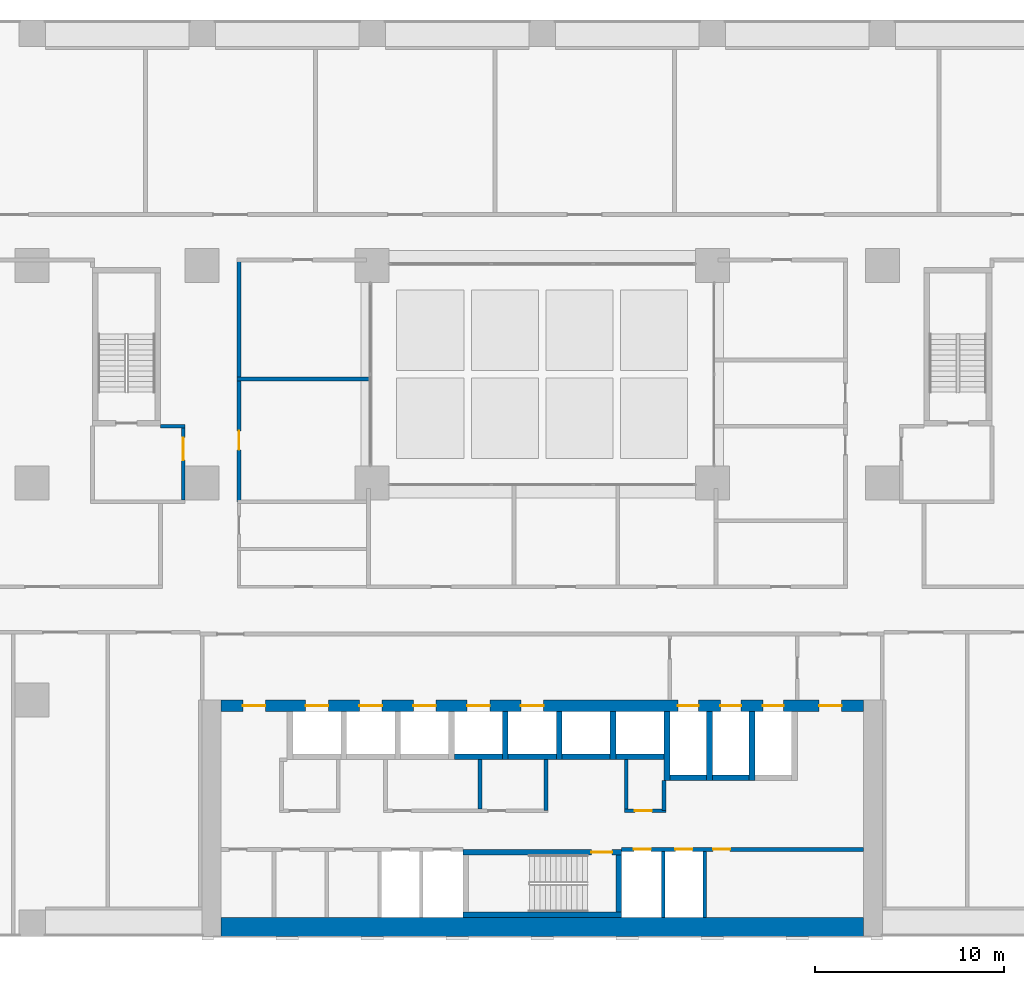
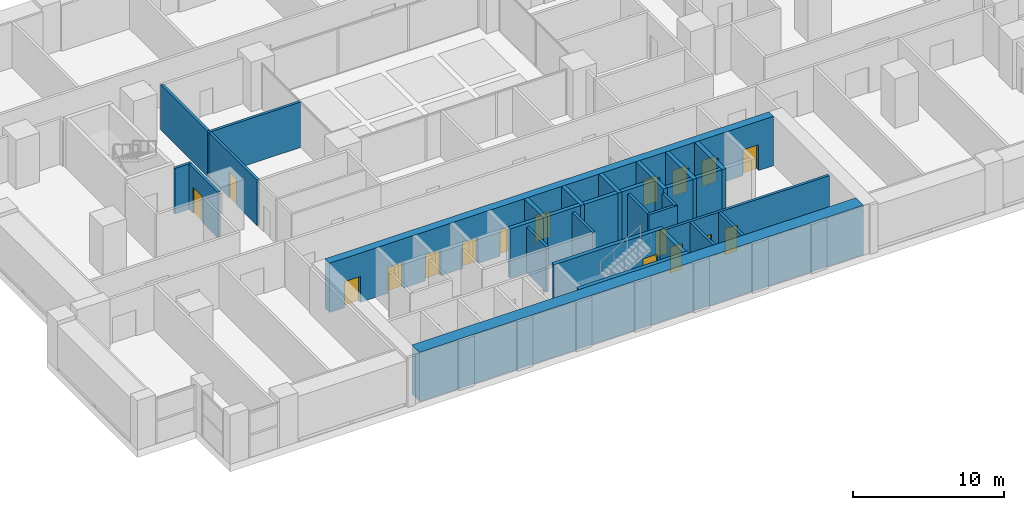
# One storey, part 21 of 24: 29 walls, 17 doors, 17 openings.
"""IFC4 building model written with IfcOpenShell, lengths in metres."""

import ifcopenshell
import ifcopenshell.guid

model = None  # the IFC model being written
_history = None  # IfcOwnerHistory: only IFC2X3 demands one
_inside = {}  # id of a spatial element -> (the spatial element, [elements in it])
_under = {}  # id of a project, library or spatial element -> (it, [spatial elements below it])
_declared = {}  # id of a project -> (the project, [libraries it declares])
_typed = {}  # id of a type object -> (the type object, [elements of that type])
_made_of = {}  # id of a material, layer set ... -> (it, [elements and type objects made of it])


def new_model(schema):
    """Start an empty IFC model of exactly this schema.

    Asked for "IFC4X3", IfcOpenShell would pick the latest addendum, in which some entities
    have other attributes; the version numbers below select the first issue.
    IFC2X3 requires an IfcOwnerHistory on every rooted entity: one is made here for all.
    """
    global model, _history
    if schema == "IFC4X3":
        model = ifcopenshell.file(schema_version=(4, 3, 0, 0))
    else:
        model = ifcopenshell.file(schema=schema)
    _inside.clear()
    _under.clear()
    _declared.clear()
    _typed.clear()
    _made_of.clear()
    _history = None
    if model.schema == "IFC2X3":
        org = make("IfcOrganization", Name="unknown")
        user = make(
            "IfcPersonAndOrganization",
            ThePerson=make("IfcPerson", FamilyName="unknown"),
            TheOrganization=org,
        )
        app = make(
            "IfcApplication",
            ApplicationDeveloper=org,
            Version="unknown",
            ApplicationFullName="unknown",
            ApplicationIdentifier="unknown",
        )
        _history = make(
            "IfcOwnerHistory",
            OwningUser=user,
            OwningApplication=app,
            ChangeAction="ADDED",
            CreationDate=0,
        )
    return model


def make(cls, **values):
    """One entity of the class cls with the attributes given. An attribute that is None is left unset."""
    return model.create_entity(
        cls, **{name: value for name, value in values.items() if value is not None}
    )


def rooted(cls, **values):
    """An entity with a GlobalId (a new one), such as an element, a storey or a relation."""
    return make(cls, GlobalId=ifcopenshell.guid.new(), OwnerHistory=_history, **values)


def si_unit(unit_type, name, prefix=None):
    """IfcSIUnit, for example si_unit("LENGTHUNIT", "METRE", prefix="MILLI")."""
    return make("IfcSIUnit", UnitType=unit_type, Prefix=prefix, Name=name)


def assignment(units):
    """IfcUnitAssignment: the units of a project."""
    return None if units is None else make("IfcUnitAssignment", Units=units)


def point(xyz):
    """IfcCartesianPoint."""
    return None if xyz is None else make("IfcCartesianPoint", Coordinates=xyz)


def direction(xyz):
    """IfcDirection."""
    return None if xyz is None else make("IfcDirection", DirectionRatios=xyz)


def frame(location, z_axis=None, x_axis=None):
    """IfcAxis2Placement3D, a coordinate frame: its origin and axes. An axis left out is left unset."""
    return make(
        "IfcAxis2Placement3D",
        Location=point(location),
        Axis=direction(z_axis),
        RefDirection=direction(x_axis),
    )


def frame_2d(location, x_axis=None):
    """IfcAxis2Placement2D, a coordinate frame in the plane: its origin and x axis."""
    return make(
        "IfcAxis2Placement2D", Location=point(location), RefDirection=direction(x_axis)
    )


def origin():
    """The frame at (0, 0, 0) with its axes left unset."""
    return frame((0.0, 0.0, 0.0))


def place(relative_to, where):
    """IfcLocalPlacement: puts the frame where relative to a parent placement (None: the world)."""
    return make(
        "IfcLocalPlacement", PlacementRelTo=relative_to, RelativePlacement=where
    )


def context(
    kind, dimensions, precision=None, world=None, true_north=None, identifier=None
):
    """IfcGeometricRepresentationContext, for example the 3D "Model" context."""
    return make(
        "IfcGeometricRepresentationContext",
        ContextIdentifier=identifier,
        ContextType=kind,
        CoordinateSpaceDimension=dimensions,
        Precision=precision,
        WorldCoordinateSystem=world,
        TrueNorth=true_north,
    )


def subcontext(parent, identifier, kind, view, scale=None):
    """IfcGeometricRepresentationSubContext, for example "Body" below "Model"."""
    return make(
        "IfcGeometricRepresentationSubContext",
        ContextIdentifier=identifier,
        ContextType=kind,
        ParentContext=parent,
        TargetScale=scale,
        TargetView=view,
    )


def project(units=None, contexts=None):
    """IfcProject with its units and contexts."""
    return rooted(
        "IfcProject",
        Name="project",
        RepresentationContexts=contexts,
        UnitsInContext=assignment(units),
    )


def spatial(cls, under=None, at=None, **own):
    """A site, building, storey or space (cls), placed at a placement, below another one or the project."""
    s = rooted(cls, ObjectPlacement=at, **own)
    if under is not None:
        _under.setdefault(under.id(), (under, []))[1].append(s)
    return s


def profile(cls, at=None, kind="AREA", **sizes):
    """A parametric profile (cls). Its sizes go by their IFC names, for example OverallWidth=200.0."""
    return make(cls, ProfileType=kind, Position=at, **sizes)


def rectangle(**sizes):
    """IfcRectangleProfileDef."""
    return profile("IfcRectangleProfileDef", **sizes)


def extrude(swept, where, along, depth):
    """IfcExtrudedAreaSolid: the profile swept, set in the frame where, extruded along a direction by depth."""
    return make(
        "IfcExtrudedAreaSolid",
        SweptArea=swept,
        Position=where,
        ExtrudedDirection=direction(along),
        Depth=depth,
    )


def shape(context_of_items, identifier, shape_type, items):
    """IfcShapeRepresentation: the items that make up one representation, for example the "Body"."""
    return make(
        "IfcShapeRepresentation",
        ContextOfItems=context_of_items,
        RepresentationIdentifier=identifier,
        RepresentationType=shape_type,
        Items=items,
    )


def material(Name=None, Category=None):
    """IfcMaterial."""
    return make("IfcMaterial", Name=Name, Category=Category)


def layer(
    of_material, thickness, ventilated=None, Name=None, Category=None, Priority=None
):
    """IfcMaterialLayer: one layer of a wall or slab, of a material (None: an air gap)."""
    return make(
        "IfcMaterialLayer",
        Material=of_material,
        LayerThickness=thickness,
        IsVentilated=ventilated,
        Name=Name,
        Category=Category,
        Priority=Priority,
    )


def layer_set(layers, Name=None):
    """IfcMaterialLayerSet."""
    return make("IfcMaterialLayerSet", MaterialLayers=layers, LayerSetName=Name)


def made_of(thing, what):
    """Note that an element or type object is made of a material, layer set ...; save() writes the relation."""
    if what is not None:
        _made_of.setdefault(what.id(), (what, []))[1].append(thing)
    return thing


def type_object(cls, material=None, **own):
    """A type object (cls), such as IfcWallType, which elements share."""
    return made_of(rooted(cls, **own), material)


def element(
    cls,
    number,
    at=None,
    inside=None,
    cuts=None,
    type_object=None,
    material=None,
    context=None,
    identifier="Body",
    shape_type=None,
    held_by="IfcProductDefinitionShape",
    body=None,
    shapes=None,
    **own,
):
    """One element of the class cls, such as IfcWall. Its Tag is "e" and its number.

    at: its placement. inside: the storey or other place that contains it. cuts: it is an
    opening in that element (IfcRelVoidsElement). A single representation is given by context,
    identifier, shape_type and body (its items); several are given by shapes. held_by: the class
    of the entity that holds the representations. save() writes the other relations.
    """
    e = rooted(cls, Tag="e%d" % number, ObjectPlacement=at, **own)
    if body is not None:
        shapes = [shape(context, identifier, shape_type, body)]
    if shapes is not None:
        e.Representation = make(held_by, Representations=shapes)
    if inside is not None:
        _inside.setdefault(inside.id(), (inside, []))[1].append(e)
    if cuts is not None:
        rooted(
            "IfcRelVoidsElement", RelatingBuildingElement=cuts, RelatedOpeningElement=e
        )
    if type_object is not None:
        _typed.setdefault(type_object.id(), (type_object, []))[1].append(e)
    return made_of(e, material)


def fill(opening, filler):
    """IfcRelFillsElement: the door or window that sits in an opening."""
    return rooted(
        "IfcRelFillsElement",
        RelatingOpeningElement=opening,
        RelatedBuildingElement=filler,
    )


def aggregate(whole, parts):
    """IfcRelAggregates: a whole, such as a stair, and the parts it consists of."""
    return rooted("IfcRelAggregates", RelatingObject=whole, RelatedObjects=parts)


def save(model, path):
    """Write the relations noted so far, then the file.

    IfcRelAggregates (storeys below a building ...), IfcRelContainedInSpatialStructure (elements
    in a storey), IfcRelDefinesByType, IfcRelAssociatesMaterial and IfcRelDeclares: one each for
    every whole, place, type object, material and project.
    """
    for whole, parts in _under.values():
        aggregate(whole, parts)
    for where, things in _inside.values():
        rooted(
            "IfcRelContainedInSpatialStructure",
            RelatedElements=things,
            RelatingStructure=where,
        )
    for kind, things in _typed.values():
        rooted("IfcRelDefinesByType", RelatedObjects=things, RelatingType=kind)
    for what, things in _made_of.values():
        rooted("IfcRelAssociatesMaterial", RelatedObjects=things, RelatingMaterial=what)
    for by, libraries in _declared.values():
        rooted("IfcRelDeclares", RelatingContext=by, RelatedDefinitions=libraries)
    model.write(path)


model = new_model("IFC4")

# Units and contexts
model_context = context("Model", 3, precision=1e-05, world=origin(), true_north=direction((0.0, 1.0)))
body_context = subcontext(model_context, "Body", "Model", "MODEL_VIEW")
ifc_project = project(units=[si_unit("LENGTHUNIT", "METRE"), si_unit("AREAUNIT", "SQUARE_METRE"), si_unit("VOLUMEUNIT", "CUBIC_METRE"), si_unit("PLANEANGLEUNIT", "RADIAN"), si_unit("MASSUNIT", "GRAM", prefix="KILO")], contexts=[model_context])

# Site, building, storey
site_placement = place(None, origin())
site = spatial("IfcSite", under=ifc_project, at=site_placement, CompositionType="ELEMENT")
building_placement = place(site_placement, origin())
building = spatial("IfcBuilding", under=site, at=building_placement, Name="Brigalow Station Residences", CompositionType="ELEMENT")
storey_placement = place(building_placement, frame((0.0, 0.0, 15.5)))
storey = spatial("IfcBuildingStorey", under=building, at=storey_placement, Name="L03", CompositionType="ELEMENT", Elevation=15.5)

# Walls
ifc_material_1 = material(Name="Concrete C80", Category="concrete")
ifc_layer_1 = layer(ifc_material_1, 1.0)
ifc_layer_set_1 = layer_set([ifc_layer_1], Name="CORE SHEAR WALL 1000 C80")
wall_type_1 = type_object("IfcWallType", Name="CORE SHEAR WALL 1000 C80", PredefinedType="SHEAR", material=ifc_layer_set_1)
wall_1_placement = place(storey_placement, frame((19.0, 0.5, 0.0), z_axis=(0.0, 0.0, 1.0), x_axis=(1.0, 0.0, 0.0)))
element("IfcWall", 1, at=wall_1_placement, inside=storey, type_object=wall_type_1, Name="CORE WALL OUT-S L03", PredefinedType="SHEAR", context=body_context, shape_type="SweptSolid", body=[
    extrude(rectangle(XDim=34.0, YDim=1.0, at=frame_2d((17.0, 0.0))), origin(), (0.0, 0.0, 1.0), 4.0),
])
ifc_material_2 = material(Name="Concrete C80", Category="concrete")
ifc_layer_2 = layer(ifc_material_2, 0.300048828125)
ifc_layer_set_2 = layer_set([ifc_layer_2], Name="CORE SHEAR WALL 300 C80")
wall_type_2 = type_object("IfcWallType", Name="CORE SHEAR WALL 300 C80", PredefinedType="SHEAR", material=ifc_layer_set_2)
wall_2_placement = place(storey_placement, frame((31.35009765625, 9.5, 0.0), z_axis=(0.0, 0.0, 1.0), x_axis=(1.0, 0.0, 0.0)))
element("IfcWall", 2, at=wall_2_placement, inside=storey, type_object=wall_type_2, Name="CORE WALL SH-P4-S L03", PredefinedType="SHEAR", context=body_context, shape_type="SweptSolid", body=[
    extrude(rectangle(XDim=2.5498046875, YDim=0.300048828125, at=frame_2d((1.27490234375, 0.0))), origin(), (0.0, 0.0, 1.0), 4.0),
])
wall_3_placement = place(storey_placement, frame((34.199951171875, 9.5, 0.0), z_axis=(0.0, 0.0, 1.0), x_axis=(1.0, 0.0, 0.0)))
element("IfcWall", 3, at=wall_3_placement, inside=storey, type_object=wall_type_2, Name="CORE WALL SH-P5-S L03", PredefinedType="SHEAR", context=body_context, shape_type="SweptSolid", body=[
    extrude(rectangle(XDim=2.550048828125, YDim=0.300048828125, at=frame_2d((1.27490234375, 0.0))), origin(), (0.0, 0.0, 1.0), 4.0),
])
wall_4_placement = place(storey_placement, frame((34.050048828125, 9.35009765625, 0.0), z_axis=(0.0, 0.0, 1.0), x_axis=(0.0, 1.0, 0.0)))
element("IfcWall", 4, at=wall_4_placement, inside=storey, type_object=wall_type_2, Name="CORE WALL SH-P5-W L03", PredefinedType="SHEAR", context=body_context, shape_type="SweptSolid", body=[
    extrude(rectangle(XDim=2.5498046875, YDim=0.300048828125, at=frame_2d((1.27490234375, 0.0))), origin(), (0.0, 0.0, 1.0), 4.0),
])
wall_5_placement = place(storey_placement, frame((37.050048828125, 9.5, 0.0), z_axis=(0.0, 0.0, 1.0), x_axis=(1.0, 0.0, 0.0)))
element("IfcWall", 5, at=wall_5_placement, inside=storey, type_object=wall_type_2, Name="CORE WALL SH-X1-S L03", PredefinedType="SHEAR", context=body_context, shape_type="SweptSolid", body=[
    extrude(rectangle(XDim=2.550048828125, YDim=0.300048828125, at=frame_2d((1.27490234375, 0.0))), origin(), (0.0, 0.0, 1.0), 4.0),
])
wall_6_placement = place(storey_placement, frame((36.89990234375, 9.35009765625, 0.0), z_axis=(0.0, 0.0, 1.0), x_axis=(0.0, 1.0, 0.0)))
element("IfcWall", 6, at=wall_6_placement, inside=storey, type_object=wall_type_2, Name="CORE WALL SH-X1-W L03", PredefinedType="SHEAR", context=body_context, shape_type="SweptSolid", body=[
    extrude(rectangle(XDim=2.5498046875, YDim=0.300048828125, at=frame_2d((1.27490234375, 0.0))), origin(), (0.0, 0.0, 1.0), 4.0),
])
wall_7_placement = place(storey_placement, frame((39.89990234375, 9.5, 0.0), z_axis=(0.0, 0.0, 1.0), x_axis=(1.0, 0.0, 0.0)))
element("IfcWall", 7, at=wall_7_placement, inside=storey, type_object=wall_type_2, Name="CORE WALL SH-X2-S L03", PredefinedType="SHEAR", context=body_context, shape_type="SweptSolid", body=[
    extrude(rectangle(XDim=2.550048828125, YDim=0.300048828125, at=frame_2d((1.27490234375, 0.0))), origin(), (0.0, 0.0, 1.0), 4.0),
])
wall_8_placement = place(storey_placement, frame((39.75, 9.35009765625, 0.0), z_axis=(0.0, 0.0, 1.0), x_axis=(0.0, 1.0, 0.0)))
element("IfcWall", 8, at=wall_8_placement, inside=storey, type_object=wall_type_2, Name="CORE WALL SH-X2-W L03", PredefinedType="SHEAR", context=body_context, shape_type="SweptSolid", body=[
    extrude(rectangle(XDim=2.5498046875, YDim=0.300048828125, at=frame_2d((1.27490234375, 0.0))), origin(), (0.0, 0.0, 1.0), 4.0),
])
wall_9_placement = place(storey_placement, frame((42.75, 8.39990234375, 0.0), z_axis=(0.0, 0.0, 1.0), x_axis=(1.0, 0.0, 0.0)))
element("IfcWall", 9, at=wall_9_placement, inside=storey, type_object=wall_type_2, Name="CORE WALL SH-FF1-S L03", PredefinedType="SHEAR", context=body_context, shape_type="SweptSolid", body=[
    extrude(rectangle(XDim=1.949951171875, YDim=0.300048828125, at=frame_2d((0.97509765625, 0.0))), origin(), (0.0, 0.0, 1.0), 4.0),
])
wall_10_placement = place(storey_placement, frame((42.60009765625, 8.25, 0.0), z_axis=(0.0, 0.0, 1.0), x_axis=(0.0, 1.0, 0.0)))
element("IfcWall", 10, at=wall_10_placement, inside=storey, type_object=wall_type_2, Name="CORE WALL SH-FF1-W L03", PredefinedType="SHEAR", context=body_context, shape_type="SweptSolid", body=[
    extrude(rectangle(XDim=3.64990234375, YDim=0.300048828125, at=frame_2d((1.824951171875, 0.0))), origin(), (0.0, 0.0, 1.0), 4.0),
])
wall_11_placement = place(storey_placement, frame((45.0, 8.39990234375, 0.0), z_axis=(0.0, 0.0, 1.0), x_axis=(1.0, 0.0, 0.0)))
element("IfcWall", 11, at=wall_11_placement, inside=storey, type_object=wall_type_2, Name="CORE WALL SH-FF2-S L03", PredefinedType="SHEAR", context=body_context, shape_type="SweptSolid", body=[
    extrude(rectangle(XDim=1.949951171875, YDim=0.300048828125, at=frame_2d((0.97509765625, 0.0))), origin(), (0.0, 0.0, 1.0), 4.0),
])
for number, where, z_axis, x_axis, name in (
    (12, (44.85009765625, 8.25, 0.0), (0.0, 0.0, 1.0), (0.0, 1.0, 0.0), "CORE WALL SH-FF2-W L03"),
    (13, (47.10009765625, 8.25, 0.0), (0.0, 0.0, 1.0), (0.0, 1.0, 0.0), "CORE WALL SH-SL1-W L03"),
):
    element("IfcWall", number, at=place(storey_placement, frame(where, z_axis=z_axis, x_axis=x_axis)), inside=storey, type_object=wall_type_2, Name=name, PredefinedType="SHEAR", context=body_context, shape_type="SweptSolid", body=[
        extrude(rectangle(XDim=3.64990234375, YDim=0.300048828125, at=frame_2d((1.824951171875, 0.0))), origin(), (0.0, 0.0, 1.0), 4.0),
    ])
wall_12_placement = place(storey_placement, frame((31.800048828125, 1.14990234375, 0.0), z_axis=(0.0, 0.0, 1.0), x_axis=(1.0, 0.0, 0.0)))
element("IfcWall", 14, at=wall_12_placement, inside=storey, type_object=wall_type_2, Name="CORE WALL ST-S2-S L03", PredefinedType="SHEAR", context=body_context, shape_type="SweptSolid", body=[
    extrude(rectangle(XDim=8.39990234375, YDim=0.300048828125, at=frame_2d((4.199951171875, 0.0))), origin(), (0.0, 0.0, 1.0), 4.0),
])

# Wall, opening, door
wall_13_placement = place(storey_placement, frame((31.800048828125, 4.449951171875, 0.0), z_axis=(0.0, 0.0, 1.0), x_axis=(1.0, 0.0, 0.0)))
wall_13 = element("IfcWall", 15, at=wall_13_placement, inside=storey, type_object=wall_type_2, Name="CORE WALL ST-S2-N L03", PredefinedType="SHEAR", context=body_context, shape_type="SweptSolid", body=[
    extrude(rectangle(XDim=8.39990234375, YDim=0.300048828125, at=frame_2d((4.199951171875, 0.0))), origin(), (0.0, 0.0, 1.0), 4.0),
])
opening_1_placement = place(wall_13_placement, frame((6.800048828125, 0.0, 0.0)))
opening_1 = element("IfcOpeningElement", 16, at=opening_1_placement, cuts=wall_13, Name="Opening D-5001", PredefinedType="OPENING", context=body_context, shape_type="SweptSolid", body=[
    extrude(rectangle(XDim=1.10009765625, YDim=2.10009765625, at=frame_2d((0.550048828125, 1.050048828125))), frame((0.0, 0.16015625, 0.0), z_axis=(0.0, -1.0, 0.0), x_axis=(1.0, 0.0, 0.0)), (0.0, 0.0, 1.0), 0.320068359375),
])
ifc_material_3 = material(Name="Steel fire door leaf in steel frame", Category="steel")
door_type_1 = type_object("IfcDoorType", Name="STAIR DOOR 1100 x 2100 FD60S", OperationType="SINGLE_SWING_LEFT", PredefinedType="DOOR", material=ifc_material_3)
door_1_placement = place(opening_1_placement, frame((1.10009765625, 0.0, 0.0), z_axis=(0.0, 0.0, 1.0), x_axis=(-1.0, 0.0, 0.0)))
door_1 = element("IfcDoor", 17, at=door_1_placement, inside=storey, type_object=door_type_1, Name="D-5001", OperationType="SINGLE_SWING_LEFT", OverallHeight=2.10009765625, OverallWidth=1.10009765625, PredefinedType="DOOR", context=body_context, shape_type="SweptSolid", body=[
    extrude(rectangle(XDim=1.10009765625, YDim=2.10009765625, at=frame_2d((0.550048828125, 1.050048828125))), frame((0.0, 0.02490234375, 0.0), z_axis=(0.0, -1.0, 0.0), x_axis=(1.0, 0.0, 0.0)), (0.0, 0.0, 1.0), 0.050048828125),
])
fill(opening_1, door_1)

# Wall
wall_14_placement = place(storey_placement, frame((40.050048828125, 1.300048828125, 0.0), z_axis=(0.0, 0.0, 1.0), x_axis=(0.0, 1.0, 0.0)))
element("IfcWall", 18, at=wall_14_placement, inside=storey, type_object=wall_type_2, Name="CORE WALL ST-S2-E L03", PredefinedType="SHEAR", context=body_context, shape_type="SweptSolid", body=[
    extrude(rectangle(XDim=3.0, YDim=0.300048828125, at=frame_2d((1.5, 0.0))), origin(), (0.0, 0.0, 1.0), 4.0),
])

# Wall, openings, doors
ifc_material_4 = material(Name="Concrete C80", Category="concrete")
ifc_layer_3 = layer(ifc_material_4, 0.60009765625)
ifc_layer_set_3 = layer_set([ifc_layer_3], Name="CORE SHEAR WALL 600 C80")
wall_type_3 = type_object("IfcWallType", Name="CORE SHEAR WALL 600 C80", PredefinedType="SHEAR", material=ifc_layer_set_3)
wall_15_placement = place(storey_placement, frame((19.0, 12.199951171875, 0.0), z_axis=(0.0, 0.0, 1.0), x_axis=(1.0, 0.0, 0.0)))
wall_15 = element("IfcWall", 19, at=wall_15_placement, inside=storey, type_object=wall_type_3, Name="CORE WALL OUT-N L03", PredefinedType="SHEAR", context=body_context, shape_type="SweptSolid", body=[
    extrude(rectangle(XDim=34.0, YDim=0.60009765625, at=frame_2d((17.0, 0.0))), origin(), (0.0, 0.0, 1.0), 4.0),
])
opening_2_placement = place(wall_15_placement, frame((4.47509765625, 0.0, 0.0)))
opening_2 = element("IfcOpeningElement", 20, at=opening_2_placement, cuts=wall_15, Name="Opening LD-LA1", PredefinedType="OPENING", context=body_context, shape_type="SweptSolid", body=[
    extrude(rectangle(XDim=1.199951171875, YDim=2.10009765625, at=frame_2d((0.60009765625, 1.050048828125))), frame((0.0, 0.31005859375, 0.0), z_axis=(0.0, -1.0, 0.0), x_axis=(1.0, 0.0, 0.0)), (0.0, 0.0, 1.0), 0.6201171875),
])
opening_3_placement = place(wall_15_placement, frame((7.324951171875, 0.0, 0.0)))
opening_3 = element("IfcOpeningElement", 21, at=opening_3_placement, cuts=wall_15, Name="Opening LD-LA2", PredefinedType="OPENING", context=body_context, shape_type="SweptSolid", body=[
    extrude(rectangle(XDim=1.199951171875, YDim=2.10009765625, at=frame_2d((0.60009765625, 1.050048828125))), frame((0.0, 0.31005859375, 0.0), z_axis=(0.0, -1.0, 0.0), x_axis=(1.0, 0.0, 0.0)), (0.0, 0.0, 1.0), 0.6201171875),
])
opening_4_placement = place(wall_15_placement, frame((10.175048828125, 0.0, 0.0)))
opening_4 = element("IfcOpeningElement", 22, at=opening_4_placement, cuts=wall_15, Name="Opening LD-LA3", PredefinedType="OPENING", context=body_context, shape_type="SweptSolid", body=[
    extrude(rectangle(XDim=1.199951171875, YDim=2.10009765625, at=frame_2d((0.60009765625, 1.050048828125))), frame((0.0, 0.31005859375, 0.0), z_axis=(0.0, -1.0, 0.0), x_axis=(1.0, 0.0, 0.0)), (0.0, 0.0, 1.0), 0.6201171875),
])
opening_5_placement = place(wall_15_placement, frame((13.02490234375, 0.0, 0.0)))
opening_5 = element("IfcOpeningElement", 23, at=opening_5_placement, cuts=wall_15, Name="Opening LD-LA4", PredefinedType="OPENING", context=body_context, shape_type="SweptSolid", body=[
    extrude(rectangle(XDim=1.199951171875, YDim=2.10009765625, at=frame_2d((0.60009765625, 1.050048828125))), frame((0.0, 0.31005859375, 0.0), z_axis=(0.0, -1.0, 0.0), x_axis=(1.0, 0.0, 0.0)), (0.0, 0.0, 1.0), 0.6201171875),
])
opening_6_placement = place(wall_15_placement, frame((15.875, 0.0, 0.0)))
opening_6 = element("IfcOpeningElement", 24, at=opening_6_placement, cuts=wall_15, Name="Opening LD-LA5", PredefinedType="OPENING", context=body_context, shape_type="SweptSolid", body=[
    extrude(rectangle(XDim=1.199951171875, YDim=2.10009765625, at=frame_2d((0.60009765625, 1.050048828125))), frame((0.0, 0.31005859375, 0.0), z_axis=(0.0, -1.0, 0.0), x_axis=(1.0, 0.0, 0.0)), (0.0, 0.0, 1.0), 0.6201171875),
])
opening_7_placement = place(wall_15_placement, frame((24.175048828125, 0.0, 0.0)))
opening_7 = element("IfcOpeningElement", 25, at=opening_7_placement, cuts=wall_15, Name="Opening LD-LF1", PredefinedType="OPENING", context=body_context, shape_type="SweptSolid", body=[
    extrude(rectangle(XDim=1.10009765625, YDim=2.10009765625, at=frame_2d((0.550048828125, 1.050048828125))), frame((0.0, 0.31005859375, 0.0), z_axis=(0.0, -1.0, 0.0), x_axis=(1.0, 0.0, 0.0)), (0.0, 0.0, 1.0), 0.6201171875),
])
opening_8_placement = place(wall_15_placement, frame((26.425048828125, 0.0, 0.0)))
opening_8 = element("IfcOpeningElement", 26, at=opening_8_placement, cuts=wall_15, Name="Opening LD-LF2", PredefinedType="OPENING", context=body_context, shape_type="SweptSolid", body=[
    extrude(rectangle(XDim=1.10009765625, YDim=2.10009765625, at=frame_2d((0.550048828125, 1.050048828125))), frame((0.0, 0.31005859375, 0.0), z_axis=(0.0, -1.0, 0.0), x_axis=(1.0, 0.0, 0.0)), (0.0, 0.0, 1.0), 0.6201171875),
])
opening_9_placement = place(wall_15_placement, frame((28.675048828125, 0.0, 0.0)))
opening_9 = element("IfcOpeningElement", 27, at=opening_9_placement, cuts=wall_15, Name="Opening LD-LG1", PredefinedType="OPENING", context=body_context, shape_type="SweptSolid", body=[
    extrude(rectangle(XDim=1.10009765625, YDim=2.10009765625, at=frame_2d((0.550048828125, 1.050048828125))), frame((0.0, 0.31005859375, 0.0), z_axis=(0.0, -1.0, 0.0), x_axis=(1.0, 0.0, 0.0)), (0.0, 0.0, 1.0), 0.6201171875),
])
opening_10_placement = place(wall_15_placement, frame((1.14990234375, 0.0, 0.0)))
opening_10 = element("IfcOpeningElement", 28, at=opening_10_placement, cuts=wall_15, Name="Opening D-5011", PredefinedType="OPENING", context=body_context, shape_type="SweptSolid", body=[
    extrude(rectangle(XDim=1.199951171875, YDim=2.10009765625, at=frame_2d((0.60009765625, 1.050048828125))), frame((0.0, 0.31005859375, 0.0), z_axis=(0.0, -1.0, 0.0), x_axis=(1.0, 0.0, 0.0)), (0.0, 0.0, 1.0), 0.6201171875),
])
opening_11_placement = place(wall_15_placement, frame((31.64990234375, 0.0, 0.0)))
opening_11 = element("IfcOpeningElement", 29, at=opening_11_placement, cuts=wall_15, Name="Opening D-5012", PredefinedType="OPENING", context=body_context, shape_type="SweptSolid", body=[
    extrude(rectangle(XDim=1.199951171875, YDim=2.10009765625, at=frame_2d((0.60009765625, 1.050048828125))), frame((0.0, 0.31005859375, 0.0), z_axis=(0.0, -1.0, 0.0), x_axis=(1.0, 0.0, 0.0)), (0.0, 0.0, 1.0), 0.6201171875),
])
ifc_material_5 = material(Name="Steel fire door leaf in steel frame", Category="steel")
door_type_2 = type_object("IfcDoorType", Name="CORE CORRIDOR DOOR 1200 x 2100 FD60S", OperationType="SINGLE_SWING_LEFT", PredefinedType="DOOR", material=ifc_material_5)
door_2_placement = place(opening_10_placement, frame((1.199951171875, 0.0, 0.0), z_axis=(0.0, 0.0, 1.0), x_axis=(-1.0, 0.0, 0.0)))
door_2 = element("IfcDoor", 30, at=door_2_placement, inside=storey, type_object=door_type_2, Name="D-5011", OperationType="SINGLE_SWING_LEFT", OverallHeight=2.10009765625, OverallWidth=1.199951171875, PredefinedType="DOOR", context=body_context, shape_type="SweptSolid", body=[
    extrude(rectangle(XDim=1.199951171875, YDim=2.10009765625, at=frame_2d((0.60009765625, 1.050048828125))), frame((0.0, 0.02490234375, 0.0), z_axis=(0.0, -1.0, 0.0), x_axis=(1.0, 0.0, 0.0)), (0.0, 0.0, 1.0), 0.050048828125),
])
fill(opening_10, door_2)
door_3_placement = place(opening_11_placement, frame((1.199951171875, 0.0, 0.0), z_axis=(0.0, 0.0, 1.0), x_axis=(-1.0, 0.0, 0.0)))
door_3 = element("IfcDoor", 31, at=door_3_placement, inside=storey, type_object=door_type_2, Name="D-5012", OperationType="SINGLE_SWING_LEFT", OverallHeight=2.10009765625, OverallWidth=1.199951171875, PredefinedType="DOOR", context=body_context, shape_type="SweptSolid", body=[
    extrude(rectangle(XDim=1.199951171875, YDim=2.10009765625, at=frame_2d((0.60009765625, 1.050048828125))), frame((0.0, 0.02490234375, 0.0), z_axis=(0.0, -1.0, 0.0), x_axis=(1.0, 0.0, 0.0)), (0.0, 0.0, 1.0), 0.050048828125),
])
fill(opening_11, door_3)
ifc_material_6 = material(Name="Stainless steel sliding door leaves", Category="steel")
door_type_3 = type_object("IfcDoorType", Name="LIFT LANDING DOOR 1100 x 2100", OperationType="DOUBLE_DOOR_SLIDING", PredefinedType="DOOR", material=ifc_material_6)
door_4_placement = place(opening_7_placement, origin())
door_4 = element("IfcDoor", 32, at=door_4_placement, inside=storey, type_object=door_type_3, Name="LANDING DOOR LF1", OperationType="DOUBLE_DOOR_SLIDING", OverallHeight=2.10009765625, OverallWidth=1.10009765625, PredefinedType="DOOR", context=body_context, shape_type="SweptSolid", body=[
    extrude(rectangle(XDim=1.10009765625, YDim=2.10009765625, at=frame_2d((0.550048828125, 1.050048828125))), frame((0.0, 0.02490234375, 0.0), z_axis=(0.0, -1.0, 0.0), x_axis=(1.0, 0.0, 0.0)), (0.0, 0.0, 1.0), 0.050048828125),
])
fill(opening_7, door_4)
door_5_placement = place(opening_8_placement, origin())
door_5 = element("IfcDoor", 33, at=door_5_placement, inside=storey, type_object=door_type_3, Name="LANDING DOOR LF2", OperationType="DOUBLE_DOOR_SLIDING", OverallHeight=2.10009765625, OverallWidth=1.10009765625, PredefinedType="DOOR", context=body_context, shape_type="SweptSolid", body=[
    extrude(rectangle(XDim=1.10009765625, YDim=2.10009765625, at=frame_2d((0.550048828125, 1.050048828125))), frame((0.0, 0.02490234375, 0.0), z_axis=(0.0, -1.0, 0.0), x_axis=(1.0, 0.0, 0.0)), (0.0, 0.0, 1.0), 0.050048828125),
])
fill(opening_8, door_5)
door_6_placement = place(opening_9_placement, origin())
door_6 = element("IfcDoor", 34, at=door_6_placement, inside=storey, type_object=door_type_3, Name="LANDING DOOR LG1", OperationType="DOUBLE_DOOR_SLIDING", OverallHeight=2.10009765625, OverallWidth=1.10009765625, PredefinedType="DOOR", context=body_context, shape_type="SweptSolid", body=[
    extrude(rectangle(XDim=1.10009765625, YDim=2.10009765625, at=frame_2d((0.550048828125, 1.050048828125))), frame((0.0, 0.02490234375, 0.0), z_axis=(0.0, -1.0, 0.0), x_axis=(1.0, 0.0, 0.0)), (0.0, 0.0, 1.0), 0.050048828125),
])
fill(opening_9, door_6)
ifc_material_7 = material(Name="Stainless steel sliding door leaves", Category="steel")
door_type_4 = type_object("IfcDoorType", Name="LIFT LANDING DOOR 1200 x 2100", OperationType="DOUBLE_DOOR_SLIDING", PredefinedType="DOOR", material=ifc_material_7)
door_7_placement = place(opening_2_placement, origin())
door_7 = element("IfcDoor", 35, at=door_7_placement, inside=storey, type_object=door_type_4, Name="LANDING DOOR LA1", OperationType="DOUBLE_DOOR_SLIDING", OverallHeight=2.10009765625, OverallWidth=1.199951171875, PredefinedType="DOOR", context=body_context, shape_type="SweptSolid", body=[
    extrude(rectangle(XDim=1.199951171875, YDim=2.10009765625, at=frame_2d((0.60009765625, 1.050048828125))), frame((0.0, 0.02490234375, 0.0), z_axis=(0.0, -1.0, 0.0), x_axis=(1.0, 0.0, 0.0)), (0.0, 0.0, 1.0), 0.050048828125),
])
fill(opening_2, door_7)
door_8_placement = place(opening_3_placement, origin())
door_8 = element("IfcDoor", 36, at=door_8_placement, inside=storey, type_object=door_type_4, Name="LANDING DOOR LA2", OperationType="DOUBLE_DOOR_SLIDING", OverallHeight=2.10009765625, OverallWidth=1.199951171875, PredefinedType="DOOR", context=body_context, shape_type="SweptSolid", body=[
    extrude(rectangle(XDim=1.199951171875, YDim=2.10009765625, at=frame_2d((0.60009765625, 1.050048828125))), frame((0.0, 0.02490234375, 0.0), z_axis=(0.0, -1.0, 0.0), x_axis=(1.0, 0.0, 0.0)), (0.0, 0.0, 1.0), 0.050048828125),
])
fill(opening_3, door_8)
door_9_placement = place(opening_4_placement, origin())
door_9 = element("IfcDoor", 37, at=door_9_placement, inside=storey, type_object=door_type_4, Name="LANDING DOOR LA3", OperationType="DOUBLE_DOOR_SLIDING", OverallHeight=2.10009765625, OverallWidth=1.199951171875, PredefinedType="DOOR", context=body_context, shape_type="SweptSolid", body=[
    extrude(rectangle(XDim=1.199951171875, YDim=2.10009765625, at=frame_2d((0.60009765625, 1.050048828125))), frame((0.0, 0.02490234375, 0.0), z_axis=(0.0, -1.0, 0.0), x_axis=(1.0, 0.0, 0.0)), (0.0, 0.0, 1.0), 0.050048828125),
])
fill(opening_4, door_9)
door_10_placement = place(opening_5_placement, origin())
door_10 = element("IfcDoor", 38, at=door_10_placement, inside=storey, type_object=door_type_4, Name="LANDING DOOR LA4", OperationType="DOUBLE_DOOR_SLIDING", OverallHeight=2.10009765625, OverallWidth=1.199951171875, PredefinedType="DOOR", context=body_context, shape_type="SweptSolid", body=[
    extrude(rectangle(XDim=1.199951171875, YDim=2.10009765625, at=frame_2d((0.60009765625, 1.050048828125))), frame((0.0, 0.02490234375, 0.0), z_axis=(0.0, -1.0, 0.0), x_axis=(1.0, 0.0, 0.0)), (0.0, 0.0, 1.0), 0.050048828125),
])
fill(opening_5, door_10)
door_11_placement = place(opening_6_placement, origin())
door_11 = element("IfcDoor", 39, at=door_11_placement, inside=storey, type_object=door_type_4, Name="LANDING DOOR LA5", OperationType="DOUBLE_DOOR_SLIDING", OverallHeight=2.10009765625, OverallWidth=1.199951171875, PredefinedType="DOOR", context=body_context, shape_type="SweptSolid", body=[
    extrude(rectangle(XDim=1.199951171875, YDim=2.10009765625, at=frame_2d((0.60009765625, 1.050048828125))), frame((0.0, 0.02490234375, 0.0), z_axis=(0.0, -1.0, 0.0), x_axis=(1.0, 0.0, 0.0)), (0.0, 0.0, 1.0), 0.050048828125),
])
fill(opening_6, door_11)

ifc_material_8 = material(Name="Concrete blockwork", Category="masonry")
ifc_layer_4 = layer(ifc_material_8, 0.199951171875)
ifc_layer_set_4 = layer_set([ifc_layer_4], Name="FIRE RATED CORE PARTITION 200")
wall_type_4 = type_object("IfcWallType", Name="FIRE RATED CORE PARTITION 200", PredefinedType="PARTITIONING", material=ifc_layer_set_4)
wall_16_placement = place(storey_placement, frame((40.199951171875, 4.60009765625, 0.0), z_axis=(0.0, 0.0, 1.0), x_axis=(1.0, 0.0, 0.0)))
wall_16 = element("IfcWall", 40, at=wall_16_placement, inside=storey, type_object=wall_type_4, Name="PW-5002", PredefinedType="PARTITIONING", context=body_context, shape_type="SweptSolid", body=[
    extrude(rectangle(XDim=12.800048828125, YDim=0.199951171875, at=frame_2d((6.39990234375, 0.0))), origin(), (0.0, 0.0, 1.0), 3.679931640625),
])
opening_12_placement = place(wall_16_placement, frame((4.85009765625, 0.0, 0.0)))
opening_12 = element("IfcOpeningElement", 41, at=opening_12_placement, cuts=wall_16, Name="Opening D-5005", PredefinedType="OPENING", context=body_context, shape_type="SweptSolid", body=[
    extrude(rectangle(XDim=0.89990234375, YDim=2.10009765625, at=frame_2d((0.449951171875, 1.050048828125))), frame((0.0, 0.10986328125, 0.0), z_axis=(0.0, -1.0, 0.0), x_axis=(1.0, 0.0, 0.0)), (0.0, 0.0, 1.0), 0.219970703125),
])
opening_13_placement = place(wall_16_placement, frame((0.64990234375, 0.0, 0.0)))
opening_13 = element("IfcOpeningElement", 42, at=opening_13_placement, cuts=wall_16, Name="Opening D-5009", PredefinedType="OPENING", context=body_context, shape_type="SweptSolid", body=[
    extrude(rectangle(XDim=0.89990234375, YDim=2.10009765625, at=frame_2d((0.449951171875, 1.050048828125))), frame((0.0, 0.10986328125, 0.0), z_axis=(0.0, -1.0, 0.0), x_axis=(1.0, 0.0, 0.0)), (0.0, 0.0, 1.0), 0.219970703125),
])
opening_14_placement = place(wall_16_placement, frame((2.85009765625, 0.0, 0.0)))
opening_14 = element("IfcOpeningElement", 43, at=opening_14_placement, cuts=wall_16, Name="Opening D-5010", PredefinedType="OPENING", context=body_context, shape_type="SweptSolid", body=[
    extrude(rectangle(XDim=0.89990234375, YDim=2.10009765625, at=frame_2d((0.449951171875, 1.050048828125))), frame((0.0, 0.10986328125, 0.0), z_axis=(0.0, -1.0, 0.0), x_axis=(1.0, 0.0, 0.0)), (0.0, 0.0, 1.0), 0.219970703125),
])
ifc_material_9 = material(Name="Steel fire door leaf in steel frame", Category="steel")
door_type_5 = type_object("IfcDoorType", Name="PLANT ROOM DOOR 900 x 2100 FD60", OperationType="SINGLE_SWING_LEFT", PredefinedType="DOOR", material=ifc_material_9)
door_12_placement = place(opening_12_placement, frame((0.89990234375, 0.0, 0.0), z_axis=(0.0, 0.0, 1.0), x_axis=(-1.0, 0.0, 0.0)))
door_12 = element("IfcDoor", 44, at=door_12_placement, inside=storey, type_object=door_type_5, Name="D-5005", OperationType="SINGLE_SWING_RIGHT", OverallHeight=2.10009765625, OverallWidth=0.89990234375, PredefinedType="DOOR", context=body_context, shape_type="SweptSolid", body=[
    extrude(rectangle(XDim=0.89990234375, YDim=2.10009765625, at=frame_2d((0.449951171875, 1.050048828125))), frame((0.0, 0.02490234375, 0.0), z_axis=(0.0, -1.0, 0.0), x_axis=(1.0, 0.0, 0.0)), (0.0, 0.0, 1.0), 0.050048828125),
])
fill(opening_12, door_12)
ifc_material_10 = material(Name="Steel fire door leaf in steel frame", Category="steel")
door_type_6 = type_object("IfcDoorType", Name="RISER ACCESS DOOR 900 x 2100 FD120", OperationType="SINGLE_SWING_LEFT", PredefinedType="DOOR", material=ifc_material_10)
door_13_placement = place(opening_13_placement, frame((0.89990234375, 0.0, 0.0), z_axis=(0.0, 0.0, 1.0), x_axis=(-1.0, 0.0, 0.0)))
door_13 = element("IfcDoor", 45, at=door_13_placement, inside=storey, type_object=door_type_6, Name="D-5009", OperationType="SINGLE_SWING_LEFT", OverallHeight=2.10009765625, OverallWidth=0.89990234375, PredefinedType="DOOR", context=body_context, shape_type="SweptSolid", body=[
    extrude(rectangle(XDim=0.89990234375, YDim=2.10009765625, at=frame_2d((0.449951171875, 1.050048828125))), frame((0.0, 0.02490234375, 0.0), z_axis=(0.0, -1.0, 0.0), x_axis=(1.0, 0.0, 0.0)), (0.0, 0.0, 1.0), 0.050048828125),
])
fill(opening_13, door_13)
door_14_placement = place(opening_14_placement, frame((0.89990234375, 0.0, 0.0), z_axis=(0.0, 0.0, 1.0), x_axis=(-1.0, 0.0, 0.0)))
door_14 = element("IfcDoor", 46, at=door_14_placement, inside=storey, type_object=door_type_6, Name="D-5010", OperationType="SINGLE_SWING_LEFT", OverallHeight=2.10009765625, OverallWidth=0.89990234375, PredefinedType="DOOR", context=body_context, shape_type="SweptSolid", body=[
    extrude(rectangle(XDim=0.89990234375, YDim=2.10009765625, at=frame_2d((0.449951171875, 1.050048828125))), frame((0.0, 0.02490234375, 0.0), z_axis=(0.0, -1.0, 0.0), x_axis=(1.0, 0.0, 0.0)), (0.0, 0.0, 1.0), 0.050048828125),
])
fill(opening_14, door_14)

# Wall, opening, door
wall_17_placement = place(storey_placement, frame((40.35009765625, 6.64990234375, 0.0), z_axis=(0.0, 0.0, 1.0), x_axis=(1.0, 0.0, 0.0)))
wall_17 = element("IfcWall", 47, at=wall_17_placement, inside=storey, type_object=wall_type_4, Name="PW-5056", PredefinedType="PARTITIONING", context=body_context, shape_type="SweptSolid", body=[
    extrude(rectangle(XDim=2.199951171875, YDim=0.199951171875, at=frame_2d((1.10009765625, 0.0))), origin(), (0.0, 0.0, 1.0), 3.679931640625),
])
opening_15_placement = place(wall_17_placement, frame((0.550048828125, 0.0, 0.0)))
opening_15 = element("IfcOpeningElement", 48, at=opening_15_placement, cuts=wall_17, Name="Opening D-5042", PredefinedType="OPENING", context=body_context, shape_type="SweptSolid", body=[
    extrude(rectangle(XDim=0.89990234375, YDim=2.10009765625, at=frame_2d((0.449951171875, 1.050048828125))), frame((0.0, 0.10986328125, 0.0), z_axis=(0.0, -1.0, 0.0), x_axis=(1.0, 0.0, 0.0)), (0.0, 0.0, 1.0), 0.219970703125),
])
door_15_placement = place(opening_15_placement, origin())
door_15 = element("IfcDoor", 49, at=door_15_placement, inside=storey, type_object=door_type_5, Name="D-5042", OperationType="SINGLE_SWING_LEFT", OverallHeight=2.10009765625, OverallWidth=0.89990234375, PredefinedType="DOOR", context=body_context, shape_type="SweptSolid", body=[
    extrude(rectangle(XDim=0.89990234375, YDim=2.10009765625, at=frame_2d((0.449951171875, 1.050048828125))), frame((0.0, 0.02490234375, 0.0), z_axis=(0.0, -1.0, 0.0), x_axis=(1.0, 0.0, 0.0)), (0.0, 0.0, 1.0), 0.050048828125),
])
fill(opening_15, door_15)

# Walls
wall_18_placement = place(storey_placement, frame((15.800048828125, 27.0, 0.0), z_axis=(0.0, 0.0, 1.0), x_axis=(1.0, 0.0, 0.0)))
element("IfcWall", 50, at=wall_18_placement, inside=storey, type_object=wall_type_4, Name="PW-5025", PredefinedType="PARTITIONING", context=body_context, shape_type="SweptSolid", body=[
    extrude(rectangle(XDim=1.300048828125, YDim=0.199951171875, at=frame_2d((0.64990234375, 0.0))), origin(), (0.0, 0.0, 1.0), 3.679931640625),
])
for number, where, z_axis, x_axis, name in (
    (51, (42.39990234375, 1.0, 0.0), (0.0, 0.0, 1.0), (0.0, 1.0, 0.0), "PW-5007"),
    (52, (44.60009765625, 1.0, 0.0), (0.0, 0.0, 1.0), (0.0, 1.0, 0.0), "PW-5008"),
):
    element("IfcWall", number, at=place(storey_placement, frame(where, z_axis=z_axis, x_axis=x_axis)), inside=storey, type_object=wall_type_4, Name=name, PredefinedType="PARTITIONING", context=body_context, shape_type="SweptSolid", body=[
        extrude(rectangle(XDim=3.5, YDim=0.199951171875, at=frame_2d((1.75, 0.0))), origin(), (0.0, 0.0, 1.0), 3.679931640625),
    ])
wall_19_placement = place(storey_placement, frame((36.199951171875, 6.64990234375, 0.0), z_axis=(0.0, 0.0, 1.0), x_axis=(0.0, 1.0, 0.0)))
element("IfcWall", 53, at=wall_19_placement, inside=storey, type_object=wall_type_4, Name="PW-5060", PredefinedType="PARTITIONING", context=body_context, shape_type="SweptSolid", body=[
    extrude(rectangle(XDim=2.7001953125, YDim=0.199951171875, at=frame_2d((1.35009765625, 0.0))), origin(), (0.0, 0.0, 1.0), 3.679931640625),
])
wall_20_placement = place(storey_placement, frame((42.449951171875, 6.64990234375, 0.0), z_axis=(0.0, 0.0, 1.0), x_axis=(0.0, 1.0, 0.0)))
element("IfcWall", 54, at=wall_20_placement, inside=storey, type_object=wall_type_4, Name="PW-5011", PredefinedType="PARTITIONING", context=body_context, shape_type="SweptSolid", body=[
    extrude(rectangle(XDim=1.60009765625, YDim=0.199951171875, at=frame_2d((0.800048828125, 0.0))), origin(), (0.0, 0.0, 1.0), 3.679931640625),
])
for number, where, z_axis, x_axis, name in (
    (55, (32.699951171875, 6.75, 0.0), (0.0, 0.0, 1.0), (0.0, 1.0, 0.0), "PW-5062"),
    (56, (40.449951171875, 6.75, 0.0), (0.0, 0.0, 1.0), (0.0, 1.0, 0.0), "PW-5063"),
):
    element("IfcWall", number, at=place(storey_placement, frame(where, z_axis=z_axis, x_axis=x_axis)), inside=storey, type_object=wall_type_4, Name=name, PredefinedType="PARTITIONING", context=body_context, shape_type="SweptSolid", body=[
        extrude(rectangle(XDim=2.60009765625, YDim=0.199951171875, at=frame_2d((1.300048828125, 0.0))), origin(), (0.0, 0.0, 1.0), 3.679931640625),
    ])

# Wall, opening, door
wall_21_placement = place(storey_placement, frame((17.0, 23.10009765625, 0.0), z_axis=(0.0, 0.0, 1.0), x_axis=(0.0, 1.0, 0.0)))
wall_21 = element("IfcWall", 57, at=wall_21_placement, inside=storey, type_object=wall_type_4, Name="PW-5035", PredefinedType="PARTITIONING", context=body_context, shape_type="SweptSolid", body=[
    extrude(rectangle(XDim=3.7998046875, YDim=0.199951171875, at=frame_2d((1.89990234375, 0.0))), origin(), (0.0, 0.0, 1.0), 3.679931640625),
])
opening_16_placement = place(wall_21_placement, frame((2.10009765625, 0.0, 0.0)))
opening_16 = element("IfcOpeningElement", 58, at=opening_16_placement, cuts=wall_21, Name="Opening D-5016", PredefinedType="OPENING", context=body_context, shape_type="SweptSolid", body=[
    extrude(rectangle(XDim=1.199951171875, YDim=2.10009765625, at=frame_2d((0.60009765625, 1.050048828125))), frame((0.0, 0.10986328125, 0.0), z_axis=(0.0, -1.0, 0.0), x_axis=(1.0, 0.0, 0.0)), (0.0, 0.0, 1.0), 0.219970703125),
])
ifc_material_11 = material(Name="Steel fire door leaf in steel frame", Category="steel")
door_type_7 = type_object("IfcDoorType", Name="STAIR LOBBY DOOR 1200 x 2100 FD60S", OperationType="SINGLE_SWING_LEFT", PredefinedType="DOOR", material=ifc_material_11)
door_16_placement = place(opening_16_placement, origin())
door_16 = element("IfcDoor", 59, at=door_16_placement, inside=storey, type_object=door_type_7, Name="D-5016", OperationType="SINGLE_SWING_RIGHT", OverallHeight=2.10009765625, OverallWidth=1.199951171875, PredefinedType="DOOR", context=body_context, shape_type="SweptSolid", body=[
    extrude(rectangle(XDim=1.199951171875, YDim=2.10009765625, at=frame_2d((0.60009765625, 1.050048828125))), frame((0.0, 0.02490234375, 0.0), z_axis=(0.0, -1.0, 0.0), x_axis=(1.0, 0.0, 0.0)), (0.0, 0.0, 1.0), 0.050048828125),
])
fill(opening_16, door_16)

# Wall
wall_22_placement = place(storey_placement, frame((19.85009765625, 29.5, 0.0), z_axis=(0.0, 0.0, 1.0), x_axis=(1.0, 0.0, 0.0)))
element("IfcWall", 60, at=wall_22_placement, inside=storey, type_object=wall_type_4, Name="PW-5074", PredefinedType="PARTITIONING", context=body_context, shape_type="SweptSolid", body=[
    extrude(rectangle(XDim=7.053955078125, YDim=0.199951171875, at=frame_2d((3.52685546875, 0.0))), origin(), (0.0, 0.0, 1.0), 3.679931640625),
])

# Wall, opening, door
wall_23_placement = place(storey_placement, frame((19.949951171875, 23.0, 0.0), z_axis=(0.0, 0.0, 1.0), x_axis=(0.0, 1.0, 0.0)))
wall_23 = element("IfcWall", 61, at=wall_23_placement, inside=storey, type_object=wall_type_4, Name="PW-5099", PredefinedType="PARTITIONING", context=body_context, shape_type="SweptSolid", body=[
    extrude(rectangle(XDim=12.800048828125, YDim=0.199951171875, at=frame_2d((6.39990234375, 0.0))), origin(), (0.0, 0.0, 1.0), 3.679931640625),
])
opening_17_placement = place(wall_23_placement, frame((2.75, 0.0, 0.0)))
opening_17 = element("IfcOpeningElement", 62, at=opening_17_placement, cuts=wall_23, Name="Opening D-5054", PredefinedType="OPENING", context=body_context, shape_type="SweptSolid", body=[
    extrude(rectangle(XDim=1.0, YDim=2.10009765625, at=frame_2d((0.5, 1.050048828125))), frame((0.0, 0.10986328125, 0.0), z_axis=(0.0, -1.0, 0.0), x_axis=(1.0, 0.0, 0.0)), (0.0, 0.0, 1.0), 0.219970703125),
])
ifc_material_12 = material(Name="Steel fire door leaf in steel frame", Category="steel")
door_type_8 = type_object("IfcDoorType", Name="PLANT ROOM DOOR 1000 x 2100 FD60", OperationType="SINGLE_SWING_LEFT", PredefinedType="DOOR", material=ifc_material_12)
door_17_placement = place(opening_17_placement, frame((1.0, 0.0, 0.0), z_axis=(0.0, 0.0, 1.0), x_axis=(-1.0, 0.0, 0.0)))
door_17 = element("IfcDoor", 63, at=door_17_placement, inside=storey, type_object=door_type_8, Name="D-5054", OperationType="SINGLE_SWING_LEFT", OverallHeight=2.10009765625, OverallWidth=1.0, PredefinedType="DOOR", context=body_context, shape_type="SweptSolid", body=[
    extrude(rectangle(XDim=1.0, YDim=2.10009765625, at=frame_2d((0.5, 1.050048828125))), frame((0.0, 0.02490234375, 0.0), z_axis=(0.0, -1.0, 0.0), x_axis=(1.0, 0.0, 0.0)), (0.0, 0.0, 1.0), 0.050048828125),
])
fill(opening_17, door_17)

save(model, "model.ifc")
